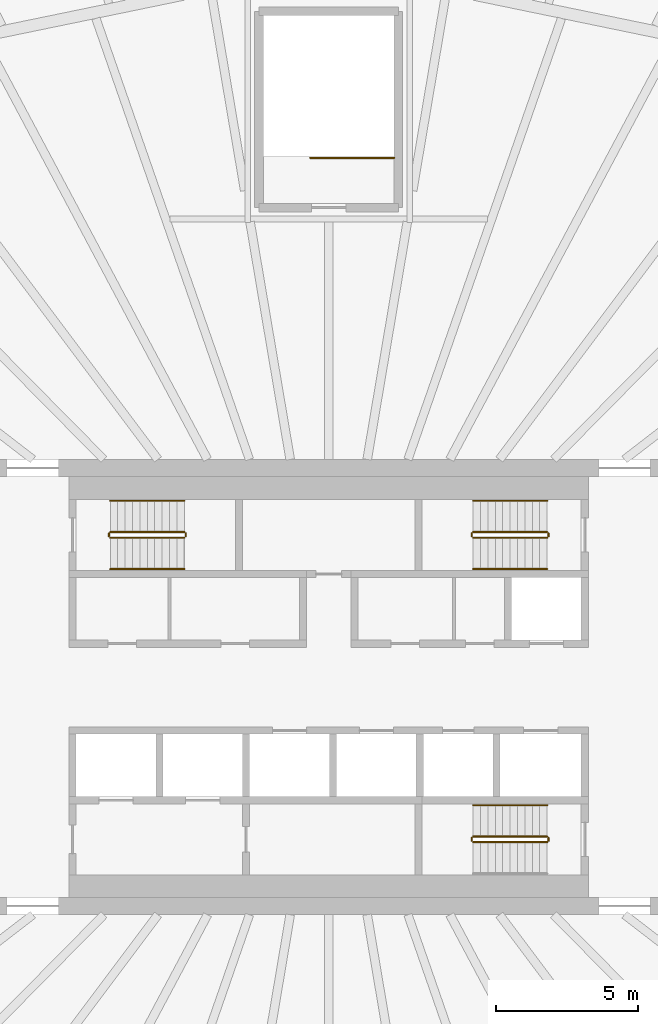
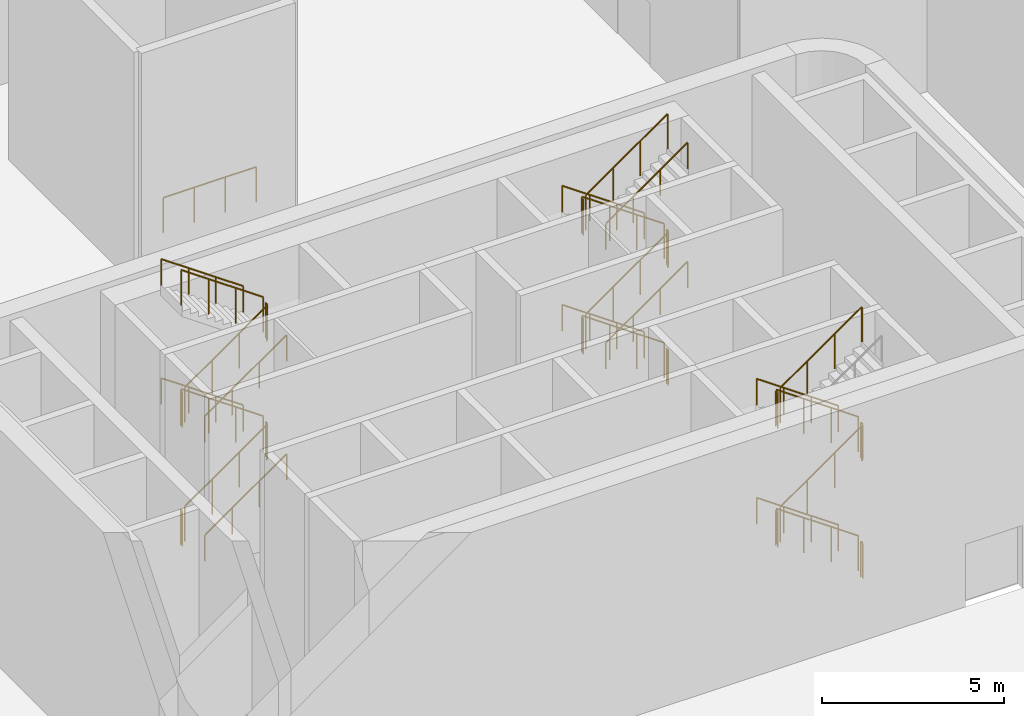
# One storey, part 34 of 36: 35 railings.
"""IFC4 building model written with IfcOpenShell, lengths in metres."""

from ifc_helpers import new_model, si_unit, direction, frame, origin, origin_2d, place, context, subcontext, project, spatial, circle, extrude, material, type_object, element, save


model = new_model("IFC4")

# Units and contexts
model_context = context("Model", 3, precision=1e-05, world=origin(), true_north=direction((0.0, 1.0)))
body_context = subcontext(model_context, "Body", "Model", "MODEL_VIEW")
ifc_project = project(units=[si_unit("LENGTHUNIT", "METRE"), si_unit("AREAUNIT", "SQUARE_METRE"), si_unit("VOLUMEUNIT", "CUBIC_METRE"), si_unit("PLANEANGLEUNIT", "RADIAN"), si_unit("MASSUNIT", "GRAM", prefix="KILO")], contexts=[model_context])

# Site, building, storey
site_placement = place(None, origin())
site = spatial("IfcSite", under=ifc_project, at=site_placement, CompositionType="ELEMENT")
building_placement = place(site_placement, origin())
building = spatial("IfcBuilding", under=site, at=building_placement, Name="Sahrelin Media Tower", CompositionType="ELEMENT")
storey_placement = place(building_placement, origin())
storey = spatial("IfcBuildingStorey", under=building, at=storey_placement, Name="L00", CompositionType="ELEMENT", Elevation=0.0)

# Railings
ifc_material = material(Name="Steel S355", Category="steel")
railing_type_1 = type_object("IfcRailingType", Name="Stair guard 1200", PredefinedType="GUARDRAIL", material=ifc_material)
railing_1_placement = place(storey_placement, frame((-7.675048828125, 5.25, 0.181884765625)))
element("IfcRailing", 1, at=railing_1_placement, inside=storey, type_object=railing_type_1, Name="L00 ST1 stair guard 1", PredefinedType="GUARDRAIL", context=body_context, shape_type="SweptSolid", body=[
    extrude(circle(Radius=0.02392578125, at=origin_2d()), frame((0.0, 0.0, 1.17578125), z_axis=(0.819521025635, 0.0, 0.573049115296), x_axis=(0.0, 1.0, 0.0)), (0.0, 0.0, 1.0), 3.172607421875),
    extrude(circle(Radius=0.02099609375, at=origin_2d()), origin(), (0.0, 0.0, 1.0), 1.15185546875),
    extrude(circle(Radius=0.02099609375, at=origin_2d()), frame((0.86669921875, 0.0, 0.60595703125)), (0.0, 0.0, 1.0), 1.15185546875),
    extrude(circle(Radius=0.02099609375, at=origin_2d()), frame((1.7333984375, 0.0, 1.212158203125)), (0.0, 0.0, 1.0), 1.15185546875),
    extrude(circle(Radius=0.02099609375, at=origin_2d()), frame((2.60009765625, 0.0, 1.818115234375)), (0.0, 0.0, 1.0), 1.15185546875),
])
railing_2_placement = place(storey_placement, frame((-5.02490234375, 5.300048828125, 2.0)))
element("IfcRailing", 2, at=railing_2_placement, inside=storey, type_object=railing_type_1, Name="L00 ST1 stair guard 2", PredefinedType="GUARDRAIL", context=body_context, shape_type="SweptSolid", body=[
    extrude(circle(Radius=0.02392578125, at=origin_2d()), frame((0.0, 0.0, 1.17578125), z_axis=(0.0, 1.0, 0.0), x_axis=(-1.0, 0.0, 0.0)), (0.0, 0.0, 1.0), 0.099853515625),
    extrude(circle(Radius=0.02099609375, at=origin_2d()), origin(), (0.0, 0.0, 1.0), 1.15185546875),
    extrude(circle(Radius=0.02099609375, at=origin_2d()), frame((0.0, 0.099853515625, 0.0)), (0.0, 0.0, 1.0), 1.15185546875),
])
railing_3_placement = place(storey_placement, frame((-5.074951171875, 5.449951171875, 2.181884765625)))
element("IfcRailing", 3, at=railing_3_placement, inside=storey, type_object=railing_type_1, Name="L00 ST1 stair guard 3", PredefinedType="GUARDRAIL", context=body_context, shape_type="SweptSolid", body=[
    extrude(circle(Radius=0.02392578125, at=origin_2d()), frame((0.0, 0.0, 1.17578125), z_axis=(-0.819521025635, 0.0, 0.573049115296), x_axis=(0.0, -1.0, 0.0)), (0.0, 0.0, 1.0), 3.172607421875),
    extrude(circle(Radius=0.02099609375, at=origin_2d()), origin(), (0.0, 0.0, 1.0), 1.15185546875),
    extrude(circle(Radius=0.02099609375, at=origin_2d()), frame((-0.86669921875, 0.0, 0.60595703125)), (0.0, 0.0, 1.0), 1.15185546875),
    extrude(circle(Radius=0.02099609375, at=origin_2d()), frame((-1.7333984375, 0.0, 1.212158203125)), (0.0, 0.0, 1.0), 1.15185546875),
    extrude(circle(Radius=0.02099609375, at=origin_2d()), frame((-2.60009765625, 0.0, 1.818115234375)), (0.0, 0.0, 1.0), 1.15185546875),
])
railing_4_placement = place(storey_placement, frame((-7.72509765625, 5.300048828125, 4.0)))
element("IfcRailing", 4, at=railing_4_placement, inside=storey, type_object=railing_type_1, Name="L00 ST1 stair guard 4", PredefinedType="GUARDRAIL", context=body_context, shape_type="SweptSolid", body=[
    extrude(circle(Radius=0.02392578125, at=origin_2d()), frame((0.0, 0.0, 1.17578125), z_axis=(0.0, 1.0, 0.0), x_axis=(-1.0, 0.0, 0.0)), (0.0, 0.0, 1.0), 0.099853515625),
    extrude(circle(Radius=0.02099609375, at=origin_2d()), origin(), (0.0, 0.0, 1.0), 1.15185546875),
    extrude(circle(Radius=0.02099609375, at=origin_2d()), frame((0.0, 0.099853515625, 0.0)), (0.0, 0.0, 1.0), 1.15185546875),
])
railing_5_placement = place(storey_placement, frame((-7.675048828125, 5.25, 4.181884765625)))
element("IfcRailing", 5, at=railing_5_placement, inside=storey, type_object=railing_type_1, Name="L00 ST1 stair guard 5", PredefinedType="GUARDRAIL", context=body_context, shape_type="SweptSolid", body=[
    extrude(circle(Radius=0.02392578125, at=origin_2d()), frame((0.0, 0.0, 1.17578125), z_axis=(0.819521025635, 0.0, 0.573049115296), x_axis=(0.0, 1.0, 0.0)), (0.0, 0.0, 1.0), 3.172607421875),
    extrude(circle(Radius=0.02099609375, at=origin_2d()), origin(), (0.0, 0.0, 1.0), 1.15185546875),
    extrude(circle(Radius=0.02099609375, at=origin_2d()), frame((0.86669921875, 0.0, 0.60595703125)), (0.0, 0.0, 1.0), 1.15185546875),
    extrude(circle(Radius=0.02099609375, at=origin_2d()), frame((1.7333984375, 0.0, 1.212158203125)), (0.0, 0.0, 1.0), 1.15185546875),
    extrude(circle(Radius=0.02099609375, at=origin_2d()), frame((2.60009765625, 0.0, 1.818115234375)), (0.0, 0.0, 1.0), 1.15185546875),
])
railing_6_placement = place(storey_placement, frame((-5.02490234375, 5.300048828125, 6.0)))
element("IfcRailing", 6, at=railing_6_placement, inside=storey, type_object=railing_type_1, Name="L00 ST1 stair guard 6", PredefinedType="GUARDRAIL", context=body_context, shape_type="SweptSolid", body=[
    extrude(circle(Radius=0.02392578125, at=origin_2d()), frame((0.0, 0.0, 1.17578125), z_axis=(0.0, 1.0, 0.0), x_axis=(-1.0, 0.0, 0.0)), (0.0, 0.0, 1.0), 0.099853515625),
    extrude(circle(Radius=0.02099609375, at=origin_2d()), origin(), (0.0, 0.0, 1.0), 1.15185546875),
    extrude(circle(Radius=0.02099609375, at=origin_2d()), frame((0.0, 0.099853515625, 0.0)), (0.0, 0.0, 1.0), 1.15185546875),
])
railing_7_placement = place(storey_placement, frame((-5.074951171875, 5.449951171875, 6.181884765625)))
element("IfcRailing", 7, at=railing_7_placement, inside=storey, type_object=railing_type_1, Name="L00 ST1 stair guard 7", PredefinedType="GUARDRAIL", context=body_context, shape_type="SweptSolid", body=[
    extrude(circle(Radius=0.02392578125, at=origin_2d()), frame((0.0, 0.0, 1.17578125), z_axis=(-0.819521025635, 0.0, 0.573049115296), x_axis=(0.0, -1.0, 0.0)), (0.0, 0.0, 1.0), 3.172607421875),
    extrude(circle(Radius=0.02099609375, at=origin_2d()), origin(), (0.0, 0.0, 1.0), 1.15185546875),
    extrude(circle(Radius=0.02099609375, at=origin_2d()), frame((-0.86669921875, 0.0, 0.60595703125)), (0.0, 0.0, 1.0), 1.15185546875),
    extrude(circle(Radius=0.02099609375, at=origin_2d()), frame((-1.7333984375, 0.0, 1.212158203125)), (0.0, 0.0, 1.0), 1.15185546875),
    extrude(circle(Radius=0.02099609375, at=origin_2d()), frame((-2.60009765625, 0.0, 1.818115234375)), (0.0, 0.0, 1.0), 1.15185546875),
])
railing_8_placement = place(storey_placement, frame((-7.72509765625, 5.300048828125, 0.0)))
element("IfcRailing", 8, at=railing_8_placement, inside=storey, type_object=railing_type_1, Name="L00 ST1 stair guard 8", PredefinedType="GUARDRAIL", context=body_context, shape_type="SweptSolid", body=[
    extrude(circle(Radius=0.02392578125, at=origin_2d()), frame((0.0, 0.0, 1.17578125), z_axis=(0.0, 1.0, 0.0), x_axis=(-1.0, 0.0, 0.0)), (0.0, 0.0, 1.0), 0.099853515625),
    extrude(circle(Radius=0.02099609375, at=origin_2d()), origin(), (0.0, 0.0, 1.0), 1.15185546875),
    extrude(circle(Radius=0.02099609375, at=origin_2d()), frame((0.0, 0.099853515625, 0.0)), (0.0, 0.0, 1.0), 1.15185546875),
])
railing_9_placement = place(storey_placement, frame((7.675048828125, 5.449951171875, 0.181884765625)))
element("IfcRailing", 9, at=railing_9_placement, inside=storey, type_object=railing_type_1, Name="L00 ST3 stair guard 1", PredefinedType="GUARDRAIL", context=body_context, shape_type="SweptSolid", body=[
    extrude(circle(Radius=0.02392578125, at=origin_2d()), frame((0.0, 0.0, 1.17578125), z_axis=(-0.819521025635, 0.0, 0.573049115296), x_axis=(0.0, -1.0, 0.0)), (0.0, 0.0, 1.0), 3.172607421875),
    extrude(circle(Radius=0.02099609375, at=origin_2d()), origin(), (0.0, 0.0, 1.0), 1.15185546875),
    extrude(circle(Radius=0.02099609375, at=origin_2d()), frame((-0.86669921875, 0.0, 0.60595703125)), (0.0, 0.0, 1.0), 1.15185546875),
    extrude(circle(Radius=0.02099609375, at=origin_2d()), frame((-1.7333984375, 0.0, 1.212158203125)), (0.0, 0.0, 1.0), 1.15185546875),
    extrude(circle(Radius=0.02099609375, at=origin_2d()), frame((-2.60009765625, 0.0, 1.818115234375)), (0.0, 0.0, 1.0), 1.15185546875),
])
railing_10_placement = place(storey_placement, frame((5.02490234375, 5.39990234375, 2.0)))
element("IfcRailing", 10, at=railing_10_placement, inside=storey, type_object=railing_type_1, Name="L00 ST3 stair guard 2", PredefinedType="GUARDRAIL", context=body_context, shape_type="SweptSolid", body=[
    extrude(circle(Radius=0.02392578125, at=origin_2d()), frame((0.0, 0.0, 1.17578125), z_axis=(0.0, -1.0, 0.0), x_axis=(1.0, 0.0, 0.0)), (0.0, 0.0, 1.0), 0.099853515625),
    extrude(circle(Radius=0.02099609375, at=origin_2d()), origin(), (0.0, 0.0, 1.0), 1.15185546875),
    extrude(circle(Radius=0.02099609375, at=origin_2d()), frame((0.0, -0.099853515625, 0.0)), (0.0, 0.0, 1.0), 1.15185546875),
])
railing_11_placement = place(storey_placement, frame((5.074951171875, 5.25, 2.181884765625)))
element("IfcRailing", 11, at=railing_11_placement, inside=storey, type_object=railing_type_1, Name="L00 ST3 stair guard 3", PredefinedType="GUARDRAIL", context=body_context, shape_type="SweptSolid", body=[
    extrude(circle(Radius=0.02392578125, at=origin_2d()), frame((0.0, 0.0, 1.17578125), z_axis=(0.819521025635, 0.0, 0.573049115296), x_axis=(0.0, 1.0, 0.0)), (0.0, 0.0, 1.0), 3.172607421875),
    extrude(circle(Radius=0.02099609375, at=origin_2d()), origin(), (0.0, 0.0, 1.0), 1.15185546875),
    extrude(circle(Radius=0.02099609375, at=origin_2d()), frame((0.86669921875, 0.0, 0.60595703125)), (0.0, 0.0, 1.0), 1.15185546875),
    extrude(circle(Radius=0.02099609375, at=origin_2d()), frame((1.7333984375, 0.0, 1.212158203125)), (0.0, 0.0, 1.0), 1.15185546875),
    extrude(circle(Radius=0.02099609375, at=origin_2d()), frame((2.60009765625, 0.0, 1.818115234375)), (0.0, 0.0, 1.0), 1.15185546875),
])
railing_12_placement = place(storey_placement, frame((7.72509765625, 5.39990234375, 4.0)))
element("IfcRailing", 12, at=railing_12_placement, inside=storey, type_object=railing_type_1, Name="L00 ST3 stair guard 4", PredefinedType="GUARDRAIL", context=body_context, shape_type="SweptSolid", body=[
    extrude(circle(Radius=0.02392578125, at=origin_2d()), frame((0.0, 0.0, 1.17578125), z_axis=(0.0, -1.0, 0.0), x_axis=(1.0, 0.0, 0.0)), (0.0, 0.0, 1.0), 0.099853515625),
    extrude(circle(Radius=0.02099609375, at=origin_2d()), origin(), (0.0, 0.0, 1.0), 1.15185546875),
    extrude(circle(Radius=0.02099609375, at=origin_2d()), frame((0.0, -0.099853515625, 0.0)), (0.0, 0.0, 1.0), 1.15185546875),
])
railing_13_placement = place(storey_placement, frame((7.675048828125, 5.449951171875, 4.181884765625)))
element("IfcRailing", 13, at=railing_13_placement, inside=storey, type_object=railing_type_1, Name="L00 ST3 stair guard 5", PredefinedType="GUARDRAIL", context=body_context, shape_type="SweptSolid", body=[
    extrude(circle(Radius=0.02392578125, at=origin_2d()), frame((0.0, 0.0, 1.17578125), z_axis=(-0.819521025635, 0.0, 0.573049115296), x_axis=(0.0, -1.0, 0.0)), (0.0, 0.0, 1.0), 3.172607421875),
    extrude(circle(Radius=0.02099609375, at=origin_2d()), origin(), (0.0, 0.0, 1.0), 1.15185546875),
    extrude(circle(Radius=0.02099609375, at=origin_2d()), frame((-0.86669921875, 0.0, 0.60595703125)), (0.0, 0.0, 1.0), 1.15185546875),
    extrude(circle(Radius=0.02099609375, at=origin_2d()), frame((-1.7333984375, 0.0, 1.212158203125)), (0.0, 0.0, 1.0), 1.15185546875),
    extrude(circle(Radius=0.02099609375, at=origin_2d()), frame((-2.60009765625, 0.0, 1.818115234375)), (0.0, 0.0, 1.0), 1.15185546875),
])
railing_14_placement = place(storey_placement, frame((5.02490234375, 5.39990234375, 6.0)))
element("IfcRailing", 14, at=railing_14_placement, inside=storey, type_object=railing_type_1, Name="L00 ST3 stair guard 6", PredefinedType="GUARDRAIL", context=body_context, shape_type="SweptSolid", body=[
    extrude(circle(Radius=0.02392578125, at=origin_2d()), frame((0.0, 0.0, 1.17578125), z_axis=(0.0, -1.0, 0.0), x_axis=(1.0, 0.0, 0.0)), (0.0, 0.0, 1.0), 0.099853515625),
    extrude(circle(Radius=0.02099609375, at=origin_2d()), origin(), (0.0, 0.0, 1.0), 1.15185546875),
    extrude(circle(Radius=0.02099609375, at=origin_2d()), frame((0.0, -0.099853515625, 0.0)), (0.0, 0.0, 1.0), 1.15185546875),
])
railing_15_placement = place(storey_placement, frame((5.074951171875, 5.25, 6.181884765625)))
element("IfcRailing", 15, at=railing_15_placement, inside=storey, type_object=railing_type_1, Name="L00 ST3 stair guard 7", PredefinedType="GUARDRAIL", context=body_context, shape_type="SweptSolid", body=[
    extrude(circle(Radius=0.02392578125, at=origin_2d()), frame((0.0, 0.0, 1.17578125), z_axis=(0.819521025635, 0.0, 0.573049115296), x_axis=(0.0, 1.0, 0.0)), (0.0, 0.0, 1.0), 3.172607421875),
    extrude(circle(Radius=0.02099609375, at=origin_2d()), origin(), (0.0, 0.0, 1.0), 1.15185546875),
    extrude(circle(Radius=0.02099609375, at=origin_2d()), frame((0.86669921875, 0.0, 0.60595703125)), (0.0, 0.0, 1.0), 1.15185546875),
    extrude(circle(Radius=0.02099609375, at=origin_2d()), frame((1.7333984375, 0.0, 1.212158203125)), (0.0, 0.0, 1.0), 1.15185546875),
    extrude(circle(Radius=0.02099609375, at=origin_2d()), frame((2.60009765625, 0.0, 1.818115234375)), (0.0, 0.0, 1.0), 1.15185546875),
])
railing_16_placement = place(storey_placement, frame((7.72509765625, 5.39990234375, 0.0)))
element("IfcRailing", 16, at=railing_16_placement, inside=storey, type_object=railing_type_1, Name="L00 ST3 stair guard 8", PredefinedType="GUARDRAIL", context=body_context, shape_type="SweptSolid", body=[
    extrude(circle(Radius=0.02392578125, at=origin_2d()), frame((0.0, 0.0, 1.17578125), z_axis=(0.0, -1.0, 0.0), x_axis=(1.0, 0.0, 0.0)), (0.0, 0.0, 1.0), 0.099853515625),
    extrude(circle(Radius=0.02099609375, at=origin_2d()), origin(), (0.0, 0.0, 1.0), 1.15185546875),
    extrude(circle(Radius=0.02099609375, at=origin_2d()), frame((0.0, -0.099853515625, 0.0)), (0.0, 0.0, 1.0), 1.15185546875),
])
railing_17_placement = place(storey_placement, frame((7.675048828125, -5.25, 0.181884765625)))
element("IfcRailing", 17, at=railing_17_placement, inside=storey, type_object=railing_type_1, Name="L00 ST2 stair guard 1", PredefinedType="GUARDRAIL", context=body_context, shape_type="SweptSolid", body=[
    extrude(circle(Radius=0.02392578125, at=origin_2d()), frame((0.0, 0.0, 1.17578125), z_axis=(-0.819521025635, 0.0, 0.573049115296), x_axis=(0.0, -1.0, 0.0)), (0.0, 0.0, 1.0), 3.172607421875),
    extrude(circle(Radius=0.02099609375, at=origin_2d()), origin(), (0.0, 0.0, 1.0), 1.15185546875),
    extrude(circle(Radius=0.02099609375, at=origin_2d()), frame((-0.86669921875, 0.0, 0.60595703125)), (0.0, 0.0, 1.0), 1.15185546875),
    extrude(circle(Radius=0.02099609375, at=origin_2d()), frame((-1.7333984375, 0.0, 1.212158203125)), (0.0, 0.0, 1.0), 1.15185546875),
    extrude(circle(Radius=0.02099609375, at=origin_2d()), frame((-2.60009765625, 0.0, 1.818115234375)), (0.0, 0.0, 1.0), 1.15185546875),
])
railing_18_placement = place(storey_placement, frame((5.02490234375, -5.300048828125, 2.0)))
element("IfcRailing", 18, at=railing_18_placement, inside=storey, type_object=railing_type_1, Name="L00 ST2 stair guard 2", PredefinedType="GUARDRAIL", context=body_context, shape_type="SweptSolid", body=[
    extrude(circle(Radius=0.02392578125, at=origin_2d()), frame((0.0, 0.0, 1.17578125), z_axis=(0.0, -1.0, 0.0), x_axis=(1.0, 0.0, 0.0)), (0.0, 0.0, 1.0), 0.099853515625),
    extrude(circle(Radius=0.02099609375, at=origin_2d()), origin(), (0.0, 0.0, 1.0), 1.15185546875),
    extrude(circle(Radius=0.02099609375, at=origin_2d()), frame((0.0, -0.099853515625, 0.0)), (0.0, 0.0, 1.0), 1.15185546875),
])
railing_19_placement = place(storey_placement, frame((5.074951171875, -5.449951171875, 2.181884765625)))
element("IfcRailing", 19, at=railing_19_placement, inside=storey, type_object=railing_type_1, Name="L00 ST2 stair guard 3", PredefinedType="GUARDRAIL", context=body_context, shape_type="SweptSolid", body=[
    extrude(circle(Radius=0.02392578125, at=origin_2d()), frame((0.0, 0.0, 1.17578125), z_axis=(0.819521025635, 0.0, 0.573049115296), x_axis=(0.0, 1.0, 0.0)), (0.0, 0.0, 1.0), 3.172607421875),
    extrude(circle(Radius=0.02099609375, at=origin_2d()), origin(), (0.0, 0.0, 1.0), 1.15185546875),
    extrude(circle(Radius=0.02099609375, at=origin_2d()), frame((0.86669921875, 0.0, 0.60595703125)), (0.0, 0.0, 1.0), 1.15185546875),
    extrude(circle(Radius=0.02099609375, at=origin_2d()), frame((1.7333984375, 0.0, 1.212158203125)), (0.0, 0.0, 1.0), 1.15185546875),
    extrude(circle(Radius=0.02099609375, at=origin_2d()), frame((2.60009765625, 0.0, 1.818115234375)), (0.0, 0.0, 1.0), 1.15185546875),
])
railing_20_placement = place(storey_placement, frame((7.72509765625, -5.300048828125, 4.0)))
element("IfcRailing", 20, at=railing_20_placement, inside=storey, type_object=railing_type_1, Name="L00 ST2 stair guard 4", PredefinedType="GUARDRAIL", context=body_context, shape_type="SweptSolid", body=[
    extrude(circle(Radius=0.02392578125, at=origin_2d()), frame((0.0, 0.0, 1.17578125), z_axis=(0.0, -1.0, 0.0), x_axis=(1.0, 0.0, 0.0)), (0.0, 0.0, 1.0), 0.099853515625),
    extrude(circle(Radius=0.02099609375, at=origin_2d()), origin(), (0.0, 0.0, 1.0), 1.15185546875),
    extrude(circle(Radius=0.02099609375, at=origin_2d()), frame((0.0, -0.099853515625, 0.0)), (0.0, 0.0, 1.0), 1.15185546875),
])
railing_21_placement = place(storey_placement, frame((7.675048828125, -5.25, 4.181884765625)))
element("IfcRailing", 21, at=railing_21_placement, inside=storey, type_object=railing_type_1, Name="L00 ST2 stair guard 5", PredefinedType="GUARDRAIL", context=body_context, shape_type="SweptSolid", body=[
    extrude(circle(Radius=0.02392578125, at=origin_2d()), frame((0.0, 0.0, 1.17578125), z_axis=(-0.819521025635, 0.0, 0.573049115296), x_axis=(0.0, -1.0, 0.0)), (0.0, 0.0, 1.0), 3.172607421875),
    extrude(circle(Radius=0.02099609375, at=origin_2d()), origin(), (0.0, 0.0, 1.0), 1.15185546875),
    extrude(circle(Radius=0.02099609375, at=origin_2d()), frame((-0.86669921875, 0.0, 0.60595703125)), (0.0, 0.0, 1.0), 1.15185546875),
    extrude(circle(Radius=0.02099609375, at=origin_2d()), frame((-1.7333984375, 0.0, 1.212158203125)), (0.0, 0.0, 1.0), 1.15185546875),
    extrude(circle(Radius=0.02099609375, at=origin_2d()), frame((-2.60009765625, 0.0, 1.818115234375)), (0.0, 0.0, 1.0), 1.15185546875),
])
railing_22_placement = place(storey_placement, frame((5.02490234375, -5.300048828125, 6.0)))
element("IfcRailing", 22, at=railing_22_placement, inside=storey, type_object=railing_type_1, Name="L00 ST2 stair guard 6", PredefinedType="GUARDRAIL", context=body_context, shape_type="SweptSolid", body=[
    extrude(circle(Radius=0.02392578125, at=origin_2d()), frame((0.0, 0.0, 1.17578125), z_axis=(0.0, -1.0, 0.0), x_axis=(1.0, 0.0, 0.0)), (0.0, 0.0, 1.0), 0.099853515625),
    extrude(circle(Radius=0.02099609375, at=origin_2d()), origin(), (0.0, 0.0, 1.0), 1.15185546875),
    extrude(circle(Radius=0.02099609375, at=origin_2d()), frame((0.0, -0.099853515625, 0.0)), (0.0, 0.0, 1.0), 1.15185546875),
])
railing_23_placement = place(storey_placement, frame((5.074951171875, -5.449951171875, 6.181884765625)))
element("IfcRailing", 23, at=railing_23_placement, inside=storey, type_object=railing_type_1, Name="L00 ST2 stair guard 7", PredefinedType="GUARDRAIL", context=body_context, shape_type="SweptSolid", body=[
    extrude(circle(Radius=0.02392578125, at=origin_2d()), frame((0.0, 0.0, 1.17578125), z_axis=(0.819521025635, 0.0, 0.573049115296), x_axis=(0.0, 1.0, 0.0)), (0.0, 0.0, 1.0), 3.172607421875),
    extrude(circle(Radius=0.02099609375, at=origin_2d()), origin(), (0.0, 0.0, 1.0), 1.15185546875),
    extrude(circle(Radius=0.02099609375, at=origin_2d()), frame((0.86669921875, 0.0, 0.60595703125)), (0.0, 0.0, 1.0), 1.15185546875),
    extrude(circle(Radius=0.02099609375, at=origin_2d()), frame((1.7333984375, 0.0, 1.212158203125)), (0.0, 0.0, 1.0), 1.15185546875),
    extrude(circle(Radius=0.02099609375, at=origin_2d()), frame((2.60009765625, 0.0, 1.818115234375)), (0.0, 0.0, 1.0), 1.15185546875),
])
railing_24_placement = place(storey_placement, frame((7.72509765625, -5.300048828125, 0.0)))
element("IfcRailing", 24, at=railing_24_placement, inside=storey, type_object=railing_type_1, Name="L00 ST2 stair guard 8", PredefinedType="GUARDRAIL", context=body_context, shape_type="SweptSolid", body=[
    extrude(circle(Radius=0.02392578125, at=origin_2d()), frame((0.0, 0.0, 1.17578125), z_axis=(0.0, -1.0, 0.0), x_axis=(1.0, 0.0, 0.0)), (0.0, 0.0, 1.0), 0.099853515625),
    extrude(circle(Radius=0.02099609375, at=origin_2d()), origin(), (0.0, 0.0, 1.0), 1.15185546875),
    extrude(circle(Radius=0.02099609375, at=origin_2d()), frame((0.0, -0.099853515625, 0.0)), (0.0, 0.0, 1.0), 1.15185546875),
])
railing_25_placement = place(storey_placement, frame((2.300048828125, 18.60009765625, 0.0)))
element("IfcRailing", 25, at=railing_25_placement, inside=storey, type_object=railing_type_1, Name="L00 BS1 top well guard 1", PredefinedType="GUARDRAIL", context=body_context, shape_type="SweptSolid", body=[
    extrude(circle(Radius=0.02392578125, at=origin_2d()), frame((0.0, 0.0, 1.17578125), z_axis=(-1.0, 0.0, 0.0), x_axis=(0.0, -1.0, 0.0)), (0.0, 0.0, 1.0), 2.949951171875),
    extrude(circle(Radius=0.02099609375, at=origin_2d()), origin(), (0.0, 0.0, 1.0), 1.15185546875),
    extrude(circle(Radius=0.02099609375, at=origin_2d()), frame((-0.9833984375, 0.0, 0.0)), (0.0, 0.0, 1.0), 1.15185546875),
    extrude(circle(Radius=0.02099609375, at=origin_2d()), frame((-1.966552734375, 0.0, 0.0)), (0.0, 0.0, 1.0), 1.15185546875),
    extrude(circle(Radius=0.02099609375, at=origin_2d()), frame((-2.949951171875, 0.0, 0.0)), (0.0, 0.0, 1.0), 1.15185546875),
])
railing_type_2 = type_object("IfcRailingType", Name="Stair handrail 900", PredefinedType="HANDRAIL", material=ifc_material)
railing_26_placement = place(storey_placement, frame((-7.675048828125, 4.14990234375, 0.181884765625)))
element("IfcRailing", 26, at=railing_26_placement, inside=storey, type_object=railing_type_2, Name="L00 ST1 stair handrail 1", PredefinedType="HANDRAIL", context=body_context, shape_type="SweptSolid", body=[
    extrude(circle(Radius=0.02392578125, at=origin_2d()), frame((0.0, 0.0, 0.8759765625), z_axis=(0.819521025635, 0.0, 0.573049115296), x_axis=(0.0, 1.0, 0.0)), (0.0, 0.0, 1.0), 3.172607421875),
    extrude(circle(Radius=0.02099609375, at=origin_2d()), origin(), (0.0, 0.0, 1.0), 0.851806640625),
    extrude(circle(Radius=0.02099609375, at=origin_2d()), frame((0.86669921875, 0.0, 0.60595703125)), (0.0, 0.0, 1.0), 0.851806640625),
    extrude(circle(Radius=0.02099609375, at=origin_2d()), frame((1.7333984375, 0.0, 1.212158203125)), (0.0, 0.0, 1.0), 0.851806640625),
    extrude(circle(Radius=0.02099609375, at=origin_2d()), frame((2.60009765625, 0.0, 1.818115234375)), (0.0, 0.0, 1.0), 0.851806640625),
])
railing_27_placement = place(storey_placement, frame((-5.074951171875, 6.550048828125, 2.181884765625)))
element("IfcRailing", 27, at=railing_27_placement, inside=storey, type_object=railing_type_2, Name="L00 ST1 stair handrail 2", PredefinedType="HANDRAIL", context=body_context, shape_type="SweptSolid", body=[
    extrude(circle(Radius=0.02392578125, at=origin_2d()), frame((0.0, 0.0, 0.8759765625), z_axis=(-0.819521025635, 0.0, 0.573049115296), x_axis=(0.0, -1.0, 0.0)), (0.0, 0.0, 1.0), 3.172607421875),
    extrude(circle(Radius=0.02099609375, at=origin_2d()), origin(), (0.0, 0.0, 1.0), 0.851806640625),
    extrude(circle(Radius=0.02099609375, at=origin_2d()), frame((-0.86669921875, 0.0, 0.60595703125)), (0.0, 0.0, 1.0), 0.851806640625),
    extrude(circle(Radius=0.02099609375, at=origin_2d()), frame((-1.7333984375, 0.0, 1.212158203125)), (0.0, 0.0, 1.0), 0.851806640625),
    extrude(circle(Radius=0.02099609375, at=origin_2d()), frame((-2.60009765625, 0.0, 1.818115234375)), (0.0, 0.0, 1.0), 0.851806640625),
])
railing_28_placement = place(storey_placement, frame((-7.675048828125, 4.14990234375, 4.181884765625)))
element("IfcRailing", 28, at=railing_28_placement, inside=storey, type_object=railing_type_2, Name="L00 ST1 stair handrail 3", PredefinedType="HANDRAIL", context=body_context, shape_type="SweptSolid", body=[
    extrude(circle(Radius=0.02392578125, at=origin_2d()), frame((0.0, 0.0, 0.8759765625), z_axis=(0.819521025635, 0.0, 0.573049115296), x_axis=(0.0, 1.0, 0.0)), (0.0, 0.0, 1.0), 3.172607421875),
    extrude(circle(Radius=0.02099609375, at=origin_2d()), origin(), (0.0, 0.0, 1.0), 0.851806640625),
    extrude(circle(Radius=0.02099609375, at=origin_2d()), frame((0.86669921875, 0.0, 0.60595703125)), (0.0, 0.0, 1.0), 0.851806640625),
    extrude(circle(Radius=0.02099609375, at=origin_2d()), frame((1.7333984375, 0.0, 1.212158203125)), (0.0, 0.0, 1.0), 0.851806640625),
    extrude(circle(Radius=0.02099609375, at=origin_2d()), frame((2.60009765625, 0.0, 1.818115234375)), (0.0, 0.0, 1.0), 0.851806640625),
])
for number, where, name in (
    (29, (-5.074951171875, 6.550048828125, 6.181884765625), "L00 ST1 stair handrail 4"),
    (30, (7.675048828125, 6.550048828125, 0.181884765625), "L00 ST3 stair handrail 1"),
):
    element("IfcRailing", number, at=place(storey_placement, frame(where)), inside=storey, type_object=railing_type_2, Name=name, PredefinedType="HANDRAIL", context=body_context, shape_type="SweptSolid", body=[
        extrude(circle(Radius=0.02392578125, at=origin_2d()), frame((0.0, 0.0, 0.8759765625), z_axis=(-0.819521025635, 0.0, 0.573049115296), x_axis=(0.0, -1.0, 0.0)), (0.0, 0.0, 1.0), 3.172607421875),
        extrude(circle(Radius=0.02099609375, at=origin_2d()), origin(), (0.0, 0.0, 1.0), 0.851806640625),
        extrude(circle(Radius=0.02099609375, at=origin_2d()), frame((-0.86669921875, 0.0, 0.60595703125)), (0.0, 0.0, 1.0), 0.851806640625),
        extrude(circle(Radius=0.02099609375, at=origin_2d()), frame((-1.7333984375, 0.0, 1.212158203125)), (0.0, 0.0, 1.0), 0.851806640625),
        extrude(circle(Radius=0.02099609375, at=origin_2d()), frame((-2.60009765625, 0.0, 1.818115234375)), (0.0, 0.0, 1.0), 0.851806640625),
    ])
railing_29_placement = place(storey_placement, frame((5.074951171875, 4.14990234375, 2.181884765625)))
element("IfcRailing", 31, at=railing_29_placement, inside=storey, type_object=railing_type_2, Name="L00 ST3 stair handrail 2", PredefinedType="HANDRAIL", context=body_context, shape_type="SweptSolid", body=[
    extrude(circle(Radius=0.02392578125, at=origin_2d()), frame((0.0, 0.0, 0.8759765625), z_axis=(0.819521025635, 0.0, 0.573049115296), x_axis=(0.0, 1.0, 0.0)), (0.0, 0.0, 1.0), 3.172607421875),
    extrude(circle(Radius=0.02099609375, at=origin_2d()), origin(), (0.0, 0.0, 1.0), 0.851806640625),
    extrude(circle(Radius=0.02099609375, at=origin_2d()), frame((0.86669921875, 0.0, 0.60595703125)), (0.0, 0.0, 1.0), 0.851806640625),
    extrude(circle(Radius=0.02099609375, at=origin_2d()), frame((1.7333984375, 0.0, 1.212158203125)), (0.0, 0.0, 1.0), 0.851806640625),
    extrude(circle(Radius=0.02099609375, at=origin_2d()), frame((2.60009765625, 0.0, 1.818115234375)), (0.0, 0.0, 1.0), 0.851806640625),
])
railing_30_placement = place(storey_placement, frame((7.675048828125, 6.550048828125, 4.181884765625)))
element("IfcRailing", 32, at=railing_30_placement, inside=storey, type_object=railing_type_2, Name="L00 ST3 stair handrail 3", PredefinedType="HANDRAIL", context=body_context, shape_type="SweptSolid", body=[
    extrude(circle(Radius=0.02392578125, at=origin_2d()), frame((0.0, 0.0, 0.8759765625), z_axis=(-0.819521025635, 0.0, 0.573049115296), x_axis=(0.0, -1.0, 0.0)), (0.0, 0.0, 1.0), 3.172607421875),
    extrude(circle(Radius=0.02099609375, at=origin_2d()), origin(), (0.0, 0.0, 1.0), 0.851806640625),
    extrude(circle(Radius=0.02099609375, at=origin_2d()), frame((-0.86669921875, 0.0, 0.60595703125)), (0.0, 0.0, 1.0), 0.851806640625),
    extrude(circle(Radius=0.02099609375, at=origin_2d()), frame((-1.7333984375, 0.0, 1.212158203125)), (0.0, 0.0, 1.0), 0.851806640625),
    extrude(circle(Radius=0.02099609375, at=origin_2d()), frame((-2.60009765625, 0.0, 1.818115234375)), (0.0, 0.0, 1.0), 0.851806640625),
])
railing_31_placement = place(storey_placement, frame((5.074951171875, 4.14990234375, 6.181884765625)))
element("IfcRailing", 33, at=railing_31_placement, inside=storey, type_object=railing_type_2, Name="L00 ST3 stair handrail 4", PredefinedType="HANDRAIL", context=body_context, shape_type="SweptSolid", body=[
    extrude(circle(Radius=0.02392578125, at=origin_2d()), frame((0.0, 0.0, 0.8759765625), z_axis=(0.819521025635, 0.0, 0.573049115296), x_axis=(0.0, 1.0, 0.0)), (0.0, 0.0, 1.0), 3.172607421875),
    extrude(circle(Radius=0.02099609375, at=origin_2d()), origin(), (0.0, 0.0, 1.0), 0.851806640625),
    extrude(circle(Radius=0.02099609375, at=origin_2d()), frame((0.86669921875, 0.0, 0.60595703125)), (0.0, 0.0, 1.0), 0.851806640625),
    extrude(circle(Radius=0.02099609375, at=origin_2d()), frame((1.7333984375, 0.0, 1.212158203125)), (0.0, 0.0, 1.0), 0.851806640625),
    extrude(circle(Radius=0.02099609375, at=origin_2d()), frame((2.60009765625, 0.0, 1.818115234375)), (0.0, 0.0, 1.0), 0.851806640625),
])
for number, where, name in (
    (34, (7.675048828125, -4.14990234375, 0.181884765625), "L00 ST2 stair handrail 1"),
    (35, (7.675048828125, -4.14990234375, 4.181884765625), "L00 ST2 stair handrail 3"),
):
    element("IfcRailing", number, at=place(storey_placement, frame(where)), inside=storey, type_object=railing_type_2, Name=name, PredefinedType="HANDRAIL", context=body_context, shape_type="SweptSolid", body=[
        extrude(circle(Radius=0.02392578125, at=origin_2d()), frame((0.0, 0.0, 0.8759765625), z_axis=(-0.819521025635, 0.0, 0.573049115296), x_axis=(0.0, -1.0, 0.0)), (0.0, 0.0, 1.0), 3.172607421875),
        extrude(circle(Radius=0.02099609375, at=origin_2d()), origin(), (0.0, 0.0, 1.0), 0.851806640625),
        extrude(circle(Radius=0.02099609375, at=origin_2d()), frame((-0.86669921875, 0.0, 0.60595703125)), (0.0, 0.0, 1.0), 0.851806640625),
        extrude(circle(Radius=0.02099609375, at=origin_2d()), frame((-1.7333984375, 0.0, 1.212158203125)), (0.0, 0.0, 1.0), 0.851806640625),
        extrude(circle(Radius=0.02099609375, at=origin_2d()), frame((-2.60009765625, 0.0, 1.818115234375)), (0.0, 0.0, 1.0), 0.851806640625),
    ])

save(model, "model.ifc")
